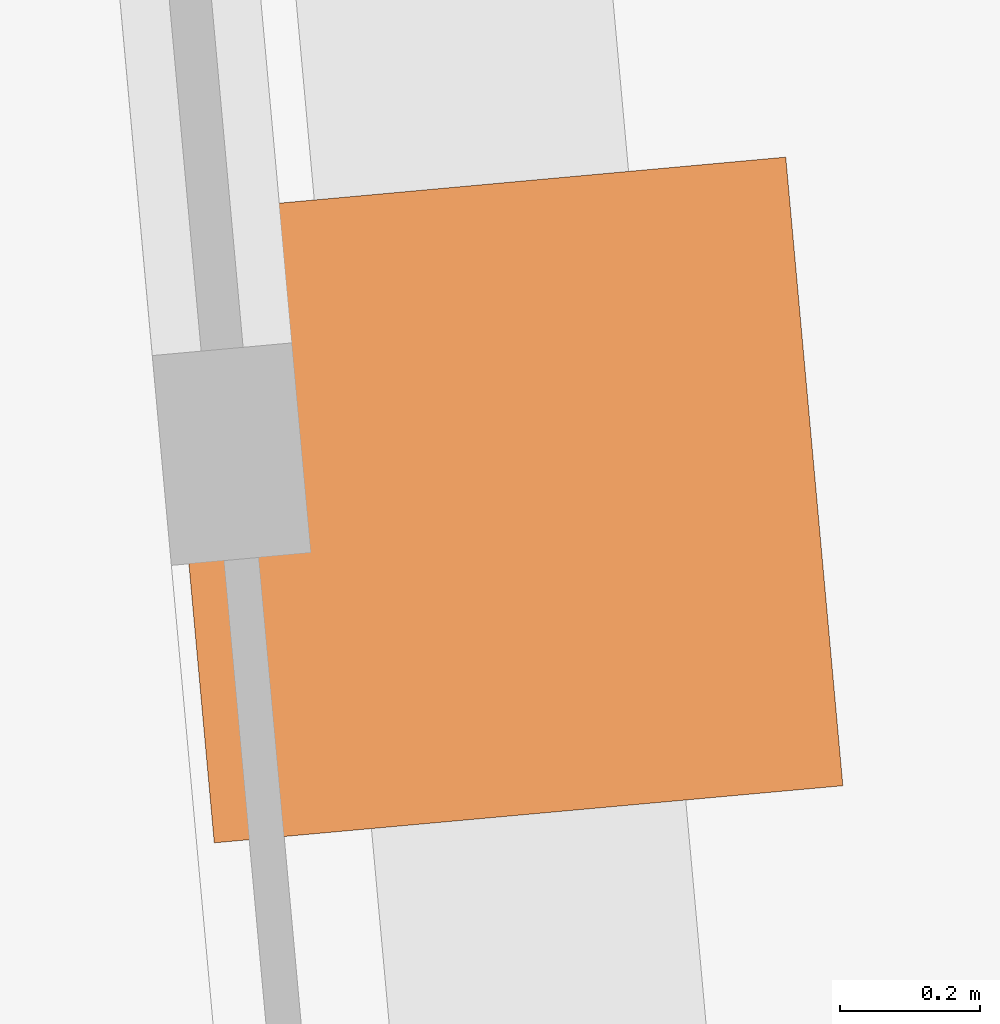
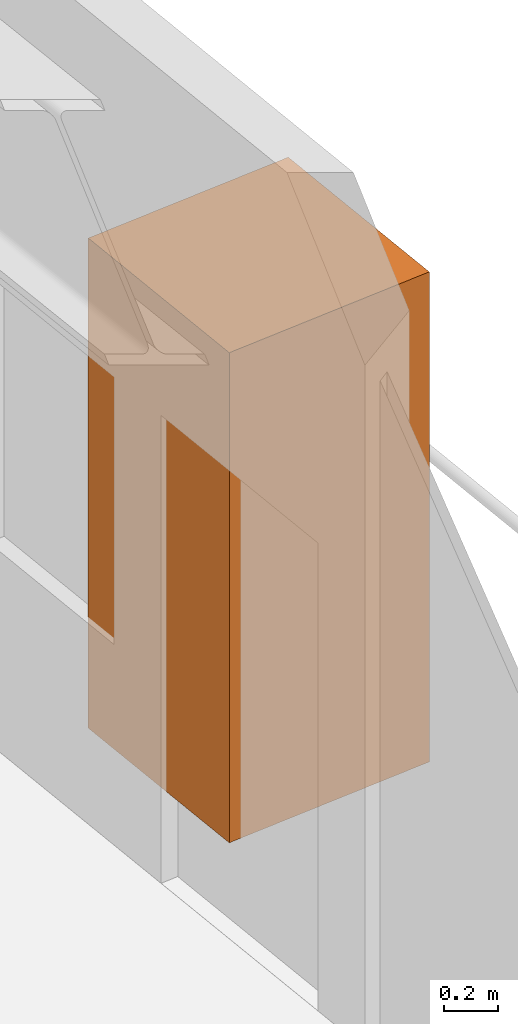
# One storey, part 8 of 8: 1 geographic element.
"""IFC4 building model written with IfcOpenShell, lengths in metres."""

from ifc_helpers import new_model, si_unit, direction, frame, origin, origin_2d, place, context, subcontext, project, spatial, rectangle, extrude, material, type_object, element, save


model = new_model("IFC4")

# Units and contexts
model_context = context("Model", 3, precision=1e-05, world=origin(), true_north=direction((0.0, 1.0)))
body_context = subcontext(model_context, "Body", "Model", "MODEL_VIEW")
ifc_project = project(units=[si_unit("LENGTHUNIT", "METRE"), si_unit("AREAUNIT", "SQUARE_METRE"), si_unit("VOLUMEUNIT", "CUBIC_METRE"), si_unit("PLANEANGLEUNIT", "RADIAN"), si_unit("MASSUNIT", "GRAM", prefix="KILO")], contexts=[model_context])

# Site, building, storey
site_placement = place(None, origin())
site = spatial("IfcSite", under=ifc_project, at=site_placement, CompositionType="ELEMENT")
building_placement = place(site_placement, origin())
building = spatial("IfcBuilding", under=site, at=building_placement, Name="Verdant Reach Tower", CompositionType="ELEMENT")
storey_placement = place(building_placement, frame((0.0, 0.0, 42.0)))
storey = spatial("IfcBuildingStorey", under=building, at=storey_placement, Name="L09", CompositionType="ELEMENT", Elevation=42.0)

# Geographic element
ifc_material = material(Name="Planting")
geographic_element_type = type_object("IfcGeographicElementType", Name="EN-TREE", PredefinedType="USERDEFINED", material=ifc_material)
geographic_element_placement = place(storey_placement, frame((24.09814453125, 10.16796875, 0.39990234375), z_axis=(0.0, 0.0, 1.0), x_axis=(-0.090535746047, 0.995893206467, 0.0)))
element("IfcGeographicElement", 1, at=geographic_element_placement, inside=storey, type_object=geographic_element_type, Name="Balcony tree, Yellow trumpet tree (Handroanthus albus), L09 1", ObjectType="TREE", PredefinedType="USERDEFINED", context=body_context, shape_type="SweptSolid", body=[
    extrude(rectangle(XDim=0.89990234375, YDim=0.89990234375, at=origin_2d()), origin(), (0.0, 0.0, 1.0), 2.199951171875),
])

save(model, "model.ifc")
